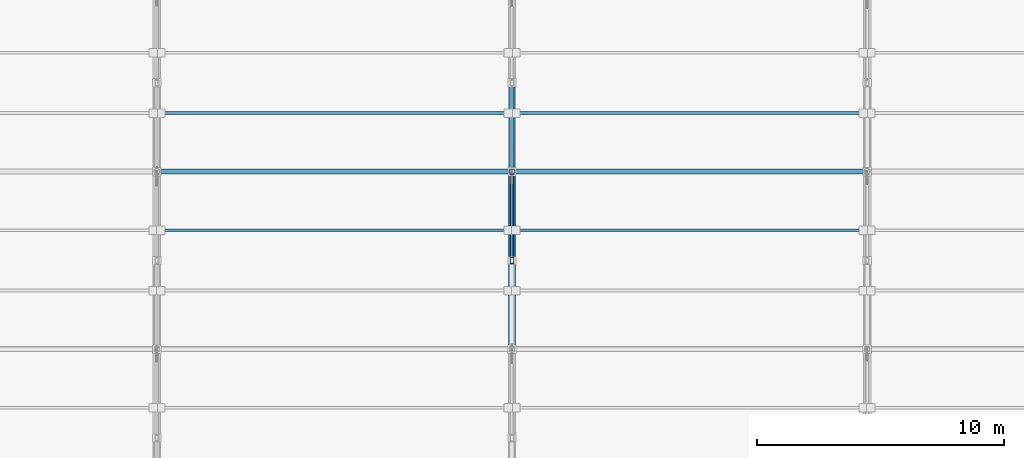
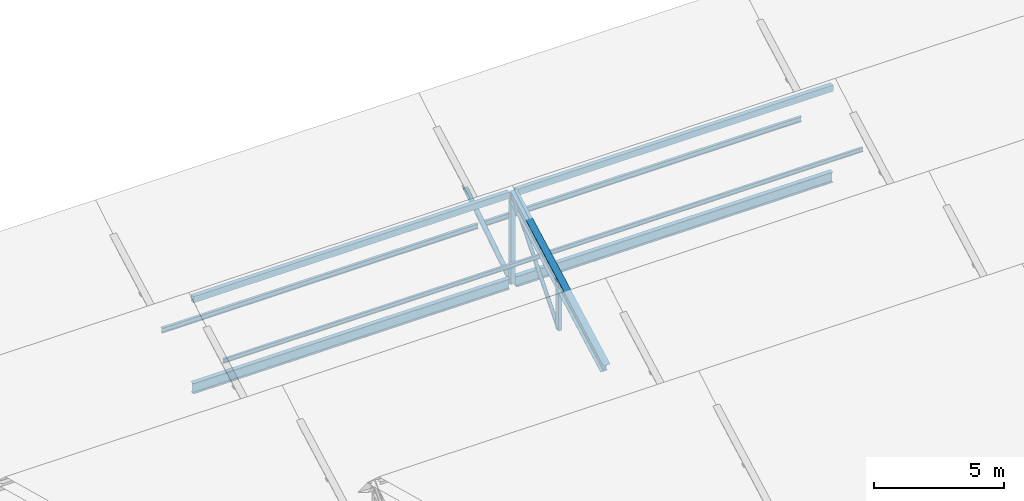
# One storey, part 18 of 51: 11 members, 2 beams.
"""IFC4 building model written with IfcOpenShell, lengths in metres."""

import ifcopenshell
import ifcopenshell.guid

model = None  # the IFC model being written
_history = None  # IfcOwnerHistory: only IFC2X3 demands one
_inside = {}  # id of a spatial element -> (the spatial element, [elements in it])
_under = {}  # id of a project, library or spatial element -> (it, [spatial elements below it])
_declared = {}  # id of a project -> (the project, [libraries it declares])
_typed = {}  # id of a type object -> (the type object, [elements of that type])
_made_of = {}  # id of a material, layer set ... -> (it, [elements and type objects made of it])


def new_model(schema):
    """Start an empty IFC model of exactly this schema.

    Asked for "IFC4X3", IfcOpenShell would pick the latest addendum, in which some entities
    have other attributes; the version numbers below select the first issue.
    IFC2X3 requires an IfcOwnerHistory on every rooted entity: one is made here for all.
    """
    global model, _history
    if schema == "IFC4X3":
        model = ifcopenshell.file(schema_version=(4, 3, 0, 0))
    else:
        model = ifcopenshell.file(schema=schema)
    _inside.clear()
    _under.clear()
    _declared.clear()
    _typed.clear()
    _made_of.clear()
    _history = None
    if model.schema == "IFC2X3":
        org = make("IfcOrganization", Name="unknown")
        user = make(
            "IfcPersonAndOrganization",
            ThePerson=make("IfcPerson", FamilyName="unknown"),
            TheOrganization=org,
        )
        app = make(
            "IfcApplication",
            ApplicationDeveloper=org,
            Version="unknown",
            ApplicationFullName="unknown",
            ApplicationIdentifier="unknown",
        )
        _history = make(
            "IfcOwnerHistory",
            OwningUser=user,
            OwningApplication=app,
            ChangeAction="ADDED",
            CreationDate=0,
        )
    return model


def make(cls, **values):
    """One entity of the class cls with the attributes given. An attribute that is None is left unset."""
    return model.create_entity(
        cls, **{name: value for name, value in values.items() if value is not None}
    )


def rooted(cls, **values):
    """An entity with a GlobalId (a new one), such as an element, a storey or a relation."""
    return make(cls, GlobalId=ifcopenshell.guid.new(), OwnerHistory=_history, **values)


def si_unit(unit_type, name, prefix=None):
    """IfcSIUnit, for example si_unit("LENGTHUNIT", "METRE", prefix="MILLI")."""
    return make("IfcSIUnit", UnitType=unit_type, Prefix=prefix, Name=name)


def assignment(units):
    """IfcUnitAssignment: the units of a project."""
    return None if units is None else make("IfcUnitAssignment", Units=units)


def point(xyz):
    """IfcCartesianPoint."""
    return None if xyz is None else make("IfcCartesianPoint", Coordinates=xyz)


def direction(xyz):
    """IfcDirection."""
    return None if xyz is None else make("IfcDirection", DirectionRatios=xyz)


def frame(location, z_axis=None, x_axis=None):
    """IfcAxis2Placement3D, a coordinate frame: its origin and axes. An axis left out is left unset."""
    return make(
        "IfcAxis2Placement3D",
        Location=point(location),
        Axis=direction(z_axis),
        RefDirection=direction(x_axis),
    )


def frame_2d(location, x_axis=None):
    """IfcAxis2Placement2D, a coordinate frame in the plane: its origin and x axis."""
    return make(
        "IfcAxis2Placement2D", Location=point(location), RefDirection=direction(x_axis)
    )


def origin():
    """The frame at (0, 0, 0) with its axes left unset."""
    return frame((0.0, 0.0, 0.0))


def origin_2d():
    """The frame at (0, 0) in the plane with its x axis left unset."""
    return frame_2d((0.0, 0.0))


def place(relative_to, where):
    """IfcLocalPlacement: puts the frame where relative to a parent placement (None: the world)."""
    return make(
        "IfcLocalPlacement", PlacementRelTo=relative_to, RelativePlacement=where
    )


def context(
    kind, dimensions, precision=None, world=None, true_north=None, identifier=None
):
    """IfcGeometricRepresentationContext, for example the 3D "Model" context."""
    return make(
        "IfcGeometricRepresentationContext",
        ContextIdentifier=identifier,
        ContextType=kind,
        CoordinateSpaceDimension=dimensions,
        Precision=precision,
        WorldCoordinateSystem=world,
        TrueNorth=true_north,
    )


def subcontext(parent, identifier, kind, view, scale=None):
    """IfcGeometricRepresentationSubContext, for example "Body" below "Model"."""
    return make(
        "IfcGeometricRepresentationSubContext",
        ContextIdentifier=identifier,
        ContextType=kind,
        ParentContext=parent,
        TargetScale=scale,
        TargetView=view,
    )


def project(units=None, contexts=None):
    """IfcProject with its units and contexts."""
    return rooted(
        "IfcProject",
        Name="project",
        RepresentationContexts=contexts,
        UnitsInContext=assignment(units),
    )


def spatial(cls, under=None, at=None, **own):
    """A site, building, storey or space (cls), placed at a placement, below another one or the project."""
    s = rooted(cls, ObjectPlacement=at, **own)
    if under is not None:
        _under.setdefault(under.id(), (under, []))[1].append(s)
    return s


def profile(cls, at=None, kind="AREA", **sizes):
    """A parametric profile (cls). Its sizes go by their IFC names, for example OverallWidth=200.0."""
    return make(cls, ProfileType=kind, Position=at, **sizes)


def hollow_rectangle(**sizes):
    """IfcRectangleHollowProfileDef."""
    return profile("IfcRectangleHollowProfileDef", **sizes)


def hollow_circle(**sizes):
    """IfcCircleHollowProfileDef."""
    return profile("IfcCircleHollowProfileDef", **sizes)


def i_section(**sizes):
    """IfcIShapeProfileDef."""
    return profile("IfcIShapeProfileDef", **sizes)


def extrude(swept, where, along, depth):
    """IfcExtrudedAreaSolid: the profile swept, set in the frame where, extruded along a direction by depth."""
    return make(
        "IfcExtrudedAreaSolid",
        SweptArea=swept,
        Position=where,
        ExtrudedDirection=direction(along),
        Depth=depth,
    )


def shape(context_of_items, identifier, shape_type, items):
    """IfcShapeRepresentation: the items that make up one representation, for example the "Body"."""
    return make(
        "IfcShapeRepresentation",
        ContextOfItems=context_of_items,
        RepresentationIdentifier=identifier,
        RepresentationType=shape_type,
        Items=items,
    )


def material(Name=None, Category=None):
    """IfcMaterial."""
    return make("IfcMaterial", Name=Name, Category=Category)


def material_profile(
    of_material, cross_section, Name=None, Category=None, Priority=None
):
    """IfcMaterialProfile: a cross section and its material."""
    return make(
        "IfcMaterialProfile",
        Name=Name,
        Material=of_material,
        Profile=cross_section,
        Priority=Priority,
        Category=Category,
    )


def profile_set(profiles, Name=None, composite=None):
    """IfcMaterialProfileSet."""
    return make(
        "IfcMaterialProfileSet",
        Name=Name,
        MaterialProfiles=profiles,
        CompositeProfile=composite,
    )


def made_of(thing, what):
    """Note that an element or type object is made of a material, layer set ...; save() writes the relation."""
    if what is not None:
        _made_of.setdefault(what.id(), (what, []))[1].append(thing)
    return thing


def type_object(cls, material=None, **own):
    """A type object (cls), such as IfcWallType, which elements share."""
    return made_of(rooted(cls, **own), material)


def element(
    cls,
    number,
    at=None,
    inside=None,
    cuts=None,
    type_object=None,
    material=None,
    context=None,
    identifier="Body",
    shape_type=None,
    held_by="IfcProductDefinitionShape",
    body=None,
    shapes=None,
    **own,
):
    """One element of the class cls, such as IfcWall. Its Tag is "e" and its number.

    at: its placement. inside: the storey or other place that contains it. cuts: it is an
    opening in that element (IfcRelVoidsElement). A single representation is given by context,
    identifier, shape_type and body (its items); several are given by shapes. held_by: the class
    of the entity that holds the representations. save() writes the other relations.
    """
    e = rooted(cls, Tag="e%d" % number, ObjectPlacement=at, **own)
    if body is not None:
        shapes = [shape(context, identifier, shape_type, body)]
    if shapes is not None:
        e.Representation = make(held_by, Representations=shapes)
    if inside is not None:
        _inside.setdefault(inside.id(), (inside, []))[1].append(e)
    if cuts is not None:
        rooted(
            "IfcRelVoidsElement", RelatingBuildingElement=cuts, RelatedOpeningElement=e
        )
    if type_object is not None:
        _typed.setdefault(type_object.id(), (type_object, []))[1].append(e)
    return made_of(e, material)


def aggregate(whole, parts):
    """IfcRelAggregates: a whole, such as a stair, and the parts it consists of."""
    return rooted("IfcRelAggregates", RelatingObject=whole, RelatedObjects=parts)


def save(model, path):
    """Write the relations noted so far, then the file.

    IfcRelAggregates (storeys below a building ...), IfcRelContainedInSpatialStructure (elements
    in a storey), IfcRelDefinesByType, IfcRelAssociatesMaterial and IfcRelDeclares: one each for
    every whole, place, type object, material and project.
    """
    for whole, parts in _under.values():
        aggregate(whole, parts)
    for where, things in _inside.values():
        rooted(
            "IfcRelContainedInSpatialStructure",
            RelatedElements=things,
            RelatingStructure=where,
        )
    for kind, things in _typed.values():
        rooted("IfcRelDefinesByType", RelatedObjects=things, RelatingType=kind)
    for what, things in _made_of.values():
        rooted("IfcRelAssociatesMaterial", RelatedObjects=things, RelatingMaterial=what)
    for by, libraries in _declared.values():
        rooted("IfcRelDeclares", RelatingContext=by, RelatedDefinitions=libraries)
    model.write(path)


model = new_model("IFC4")

# Units and contexts
model_context = context("Model", 3, precision=1e-05, world=origin(), true_north=direction((0.0, 1.0)))
body_context = subcontext(model_context, "Body", "Model", "MODEL_VIEW")
ifc_project = project(units=[si_unit("LENGTHUNIT", "METRE"), si_unit("AREAUNIT", "SQUARE_METRE"), si_unit("VOLUMEUNIT", "CUBIC_METRE"), si_unit("PLANEANGLEUNIT", "RADIAN"), si_unit("MASSUNIT", "GRAM", prefix="KILO")], contexts=[model_context])

# Site, building, storey
site_placement = place(None, origin())
site = spatial("IfcSite", under=ifc_project, at=site_placement, CompositionType="ELEMENT")
building_placement = place(site_placement, origin())
building = spatial("IfcBuilding", under=site, at=building_placement, Name="Valkovuoma Quantum and Materials Research Institute", CompositionType="ELEMENT")
storey_placement = place(building_placement, frame((0.0, 0.0, 17.280029296875)))
storey = spatial("IfcBuildingStorey", under=building, at=storey_placement, Name="L04", CompositionType="ELEMENT", Elevation=17.280029296875)

# Beams
ifc_material_1 = material(Name="Steel S355J2", Category="steel")
ifc_material_profile_1 = material_profile(ifc_material_1, i_section(OverallWidth=0.199951171875, OverallDepth=0.5, WebThickness=0.01025390625, FlangeThickness=0.01611328125, FilletRadius=0.02099609375, at=origin_2d()), Name="Steel S355J2")
ifc_profile_set_1 = profile_set([ifc_material_profile_1], Name="Steel S355J2")
beam_type = type_object("IfcBeamType", Name="Beam-B-IPE500", PredefinedType="BEAM", material=ifc_profile_set_1)
for number, where, z_axis, x_axis, name in (
    (1, (57.75, 57.60009765625, -0.300048828125), (1.0, 0.0, 0.0), (0.0, 1.0, 0.0), "L04 VOL2 valley beam 4.2"),
    (2, (72.14990234375, 57.60009765625, -0.300048828125), (1.0, 0.0, 0.0), (0.0, 1.0, 0.0), "L04 VOL2 valley beam 4.3"),
):
    element("IfcBeam", number, at=place(storey_placement, frame(where, z_axis=z_axis, x_axis=x_axis)), inside=storey, type_object=beam_type, Name=name, PredefinedType="BEAM", context=body_context, shape_type="SweptSolid", body=[
        extrude(i_section(OverallWidth=0.199951171875, OverallDepth=0.5, WebThickness=0.01025390625, FlangeThickness=0.01611328125, FilletRadius=0.02099609375, at=origin_2d()), origin(), (0.0, 0.0, 1.0), 14.10009765625),
    ])

# Members
ifc_material_2 = material(Name="Steel S355J2H", Category="steel")
ifc_material_profile_2 = material_profile(ifc_material_2, hollow_circle(Radius=0.084228515625, WallThickness=0.008056640625, at=origin_2d()), Name="Steel S355J2H")
ifc_profile_set_2 = profile_set([ifc_material_profile_2], Name="Steel S355J2H")
member_type_1 = type_object("IfcMemberType", Name="Mem-M-BRC168", PredefinedType="BRACE", material=ifc_profile_set_2)
member_1_placement = place(storey_placement, frame((72.0, 54.0, -0.35009765625), z_axis=(0.0, 0.647241890385, 0.762284681291), x_axis=(-1.0, 0.0, 0.0)))
element("IfcMember", 3, at=member_1_placement, inside=storey, type_object=member_type_1, Name="L04 VOL2 sawtooth web brace 3.3B", PredefinedType="BRACE", context=body_context, shape_type="SweptSolid", body=[
    extrude(hollow_circle(Radius=0.084228515625, WallThickness=0.008056640625, at=origin_2d()), origin(), (0.0, 0.0, 1.0), 5.562255859375),
])
ifc_material_3 = material(Name="Steel S355J2H", Category="steel")
ifc_material_profile_3 = material_profile(ifc_material_3, hollow_circle(Radius=0.109619140625, WallThickness=0.010009765625, at=origin_2d()), Name="Steel S355J2H")
ifc_profile_set_3 = profile_set([ifc_material_profile_3], Name="Steel S355J2H")
member_type_2 = type_object("IfcMemberType", Name="Mem-M-BRC219", PredefinedType="BRACE", material=ifc_profile_set_3)
member_2_placement = place(storey_placement, frame((72.0, 57.60009765625, -0.35009765625), z_axis=(0.0, 0.843199655679, 0.53760054005), x_axis=(-1.0, 0.0, 0.0)))
element("IfcMember", 4, at=member_2_placement, inside=storey, type_object=member_type_2, Name="L04 VOL2 sawtooth web brace 3.4A", PredefinedType="BRACE", context=body_context, shape_type="SweptSolid", body=[
    extrude(hollow_circle(Radius=0.109619140625, WallThickness=0.010009765625, at=origin_2d()), origin(), (0.0, 0.0, 1.0), 4.269287109375),
])
ifc_material_4 = material(Name="Steel S355J2H", Category="steel")
ifc_material_profile_4 = material_profile(ifc_material_4, hollow_rectangle(XDim=0.199951171875, YDim=0.300048828125, WallThickness=0.012451171875, at=origin_2d()), Name="Steel S355J2H")
ifc_profile_set_4 = profile_set([ifc_material_profile_4], Name="Steel S355J2H")
member_type_3 = type_object("IfcMemberType", Name="Mem-M-CHD300", PredefinedType="CHORD", material=ifc_profile_set_4)
for number, where, z_axis, x_axis, name in (
    (5, (57.75, 57.60009765625, 3.889892578125), (1.0, 0.0, 0.0), (0.0, 1.0, 0.0), "L04 VOL2 ridge chord 3.2"),
    (6, (72.14990234375, 57.60009765625, 3.889892578125), (1.0, 0.0, 0.0), (0.0, 1.0, 0.0), "L04 VOL2 ridge chord 3.3"),
):
    element("IfcMember", number, at=place(storey_placement, frame(where, z_axis=z_axis, x_axis=x_axis)), inside=storey, type_object=member_type_3, Name=name, PredefinedType="CHORD", context=body_context, shape_type="SweptSolid", body=[
        extrude(hollow_rectangle(XDim=0.199951171875, YDim=0.300048828125, WallThickness=0.012451171875, at=origin_2d()), origin(), (0.0, 0.0, 1.0), 14.10009765625),
    ])
ifc_material_5 = material(Name="Steel S355J2", Category="steel")
ifc_material_profile_5 = material_profile(ifc_material_5, i_section(OverallWidth=0.300048828125, OverallDepth=0.5, WebThickness=0.014404296875, FlangeThickness=0.028076171875, FilletRadius=0.027099609375, at=origin_2d()), Name="Steel S355J2")
ifc_profile_set_5 = profile_set([ifc_material_profile_5], Name="Steel S355J2")
member_type_4 = type_object("IfcMemberType", Name="Mem-M-CHD500", PredefinedType="CHORD", material=ifc_profile_set_5)
member_3_placement = place(storey_placement, frame((72.0, 50.39990234375, 0.0), z_axis=(0.0, 0.879814082946, 0.4753179772), x_axis=(-1.0, 0.0, 0.0)))
element("IfcMember", 7, at=member_3_placement, inside=storey, type_object=member_type_4, Name="L04 VOL2 sawtooth top chord 3.3", PredefinedType="CHORD", context=body_context, shape_type="SweptSolid", body=[
    extrude(i_section(OverallWidth=0.300048828125, OverallDepth=0.5, WebThickness=0.014404296875, FlangeThickness=0.028076171875, FilletRadius=0.027099609375, at=origin_2d()), origin(), (0.0, 0.0, 1.0), 8.183837890625),
])
ifc_material_6 = material(Name="Steel S355J2", Category="steel")
ifc_material_profile_6 = material_profile(ifc_material_6, i_section(OverallWidth=0.10009765625, OverallDepth=0.199951171875, WebThickness=0.005615234375, FlangeThickness=0.008544921875, FilletRadius=0.011962890625, at=origin_2d()), Name="Steel S355J2")
ifc_profile_set_6 = profile_set([ifc_material_profile_6], Name="Steel S355J2")
member_type_5 = type_object("IfcMemberType", Name="Mem-M-PRL200", PredefinedType="PURLIN", material=ifc_profile_set_6)
for number, where, z_axis, x_axis, name in (
    (8, (57.75, 55.22412109375, 2.405517578125), (1.0, 0.0, 0.0), (0.0, 1.0, 0.0), "L04 VOL2 roof purlin 3.2.2"),
    (9, (72.14990234375, 55.22412109375, 2.405517578125), (1.0, 0.0, 0.0), (0.0, 1.0, 0.0), "L04 VOL2 roof purlin 3.3.2"),
):
    element("IfcMember", number, at=place(storey_placement, frame(where, z_axis=z_axis, x_axis=x_axis)), inside=storey, type_object=member_type_5, Name=name, PredefinedType="PURLIN", context=body_context, shape_type="SweptSolid", body=[
        extrude(i_section(OverallWidth=0.10009765625, OverallDepth=0.199951171875, WebThickness=0.005615234375, FlangeThickness=0.008544921875, FilletRadius=0.011962890625, at=origin_2d()), origin(), (0.0, 0.0, 1.0), 14.10009765625),
    ])
ifc_material_7 = material(Name="Steel S355J2", Category="steel")
ifc_material_profile_7 = material_profile(ifc_material_7, i_section(OverallWidth=0.1201171875, OverallDepth=0.239990234375, WebThickness=0.006103515625, FlangeThickness=0.009765625, FilletRadius=0.014892578125, at=origin_2d()), Name="Steel S355J2")
ifc_profile_set_7 = profile_set([ifc_material_profile_7], Name="Steel S355J2")
member_type_6 = type_object("IfcMemberType", Name="Mem-M-PRL240", PredefinedType="PURLIN", material=ifc_profile_set_7)
for number, where, z_axis, x_axis, name in (
    (10, (57.75, 59.97607421875, 0.9638671875), (1.0, 0.0, 0.0), (0.0, 1.0, 0.0), "L04 VOL2 roof purlin 4.2.1"),
    (11, (72.14990234375, 59.97607421875, 0.9638671875), (1.0, 0.0, 0.0), (0.0, 1.0, 0.0), "L04 VOL2 roof purlin 4.3.1"),
):
    element("IfcMember", number, at=place(storey_placement, frame(where, z_axis=z_axis, x_axis=x_axis)), inside=storey, type_object=member_type_6, Name=name, PredefinedType="PURLIN", context=body_context, shape_type="SweptSolid", body=[
        extrude(i_section(OverallWidth=0.1201171875, OverallDepth=0.239990234375, WebThickness=0.006103515625, FlangeThickness=0.009765625, FilletRadius=0.014892578125, at=origin_2d()), origin(), (0.0, 0.0, 1.0), 14.10009765625),
    ])
ifc_material_8 = material(Name="Steel S355J2H", Category="steel")
ifc_material_profile_8 = material_profile(ifc_material_8, hollow_rectangle(XDim=0.199951171875, YDim=0.199951171875, WallThickness=0.010009765625, at=origin_2d()), Name="Steel S355J2H")
ifc_profile_set_8 = profile_set([ifc_material_profile_8], Name="Steel S355J2H")
member_type_7 = type_object("IfcMemberType", Name="Mem-M-STR200", PredefinedType="STRUT", material=ifc_profile_set_8)
member_4_placement = place(storey_placement, frame((72.0, 57.60009765625, -0.35009765625), z_axis=(0.0, 0.0, 1.0), x_axis=(1.0, 0.0, 0.0)))
element("IfcMember", 12, at=member_4_placement, inside=storey, type_object=member_type_7, Name="L04 VOL2 sawtooth north post 3.3", PredefinedType="STRUT", context=body_context, shape_type="SweptSolid", body=[
    extrude(hollow_rectangle(XDim=0.199951171875, YDim=0.199951171875, WallThickness=0.010009765625, at=origin_2d()), origin(), (0.0, 0.0, 1.0), 4.239990234375),
])
ifc_material_9 = material(Name="Steel S355J2H", Category="steel")
ifc_material_profile_9 = material_profile(ifc_material_9, hollow_rectangle(XDim=0.14990234375, YDim=0.25, WallThickness=0.010009765625, at=origin_2d()), Name="Steel S355J2H")
ifc_profile_set_9 = profile_set([ifc_material_profile_9], Name="Steel S355J2H")
member_type_8 = type_object("IfcMemberType", Name="Mem-M-STR250R", PredefinedType="STRUT", material=ifc_profile_set_9)
member_5_placement = place(storey_placement, frame((72.0, 54.0, -0.35009765625), z_axis=(0.0, 0.0, 1.0), x_axis=(1.0, 0.0, 0.0)))
element("IfcMember", 13, at=member_5_placement, inside=storey, type_object=member_type_8, Name="L04 VOL2 sawtooth mid strut 3.3", PredefinedType="STRUT", context=body_context, shape_type="SweptSolid", body=[
    extrude(hollow_rectangle(XDim=0.14990234375, YDim=0.25, WallThickness=0.010009765625, at=origin_2d()), origin(), (0.0, 0.0, 1.0), 2.295166015625),
])

save(model, "model.ifc")
